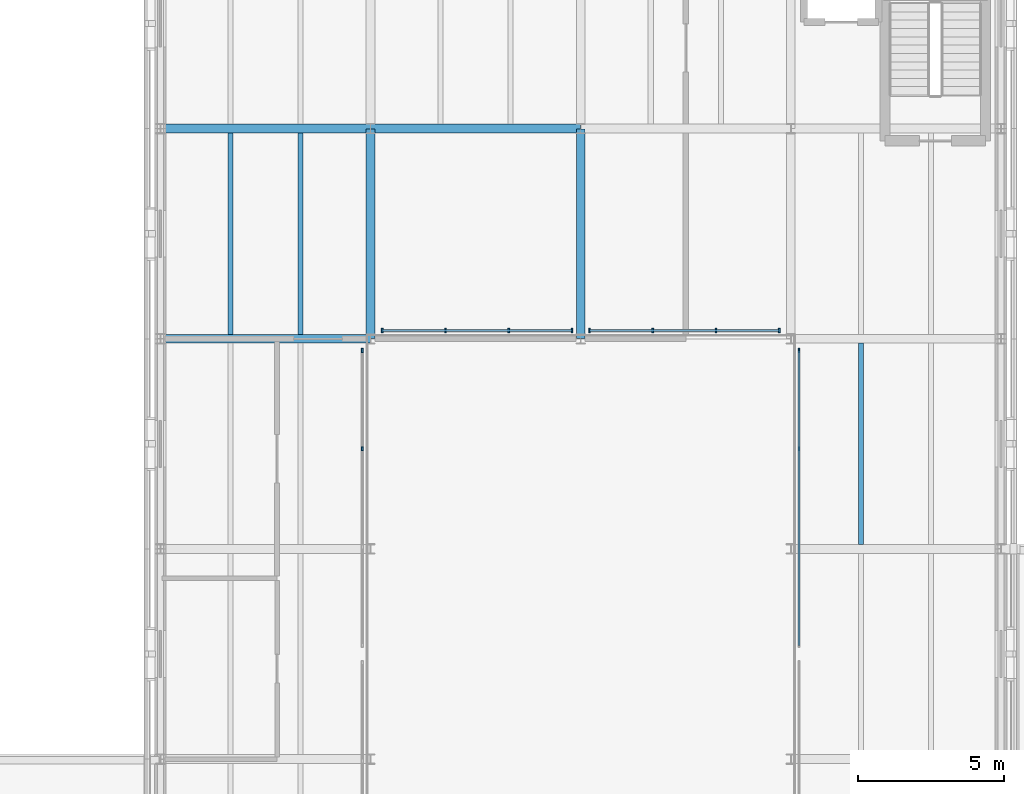
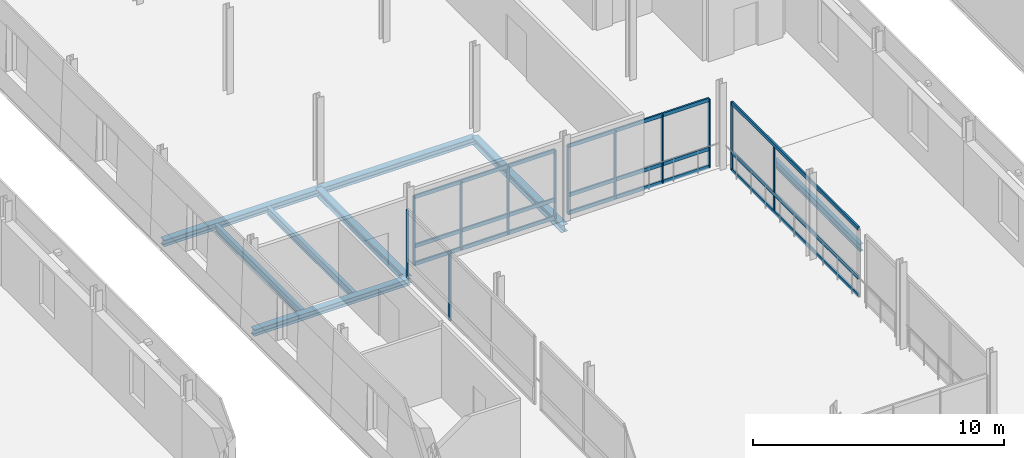
# One storey, part 20 of 91: 21 members, 8 beams, 4 elements without a shape of their own.
"""IFC4 building model written with IfcOpenShell, lengths in metres."""

from ifc_helpers import new_model, si_unit, direction, frame, origin, origin_2d, place, context, subcontext, project, spatial, rectangle, i_section, extrude, material, layer, layer_set, material_profile, profile_set, type_object, element, aggregate, save


model = new_model("IFC4")

# Units and contexts
model_context = context("Model", 3, precision=1e-05, world=origin(), true_north=direction((0.0, 1.0)))
body_context = subcontext(model_context, "Body", "Model", "MODEL_VIEW")
ifc_project = project(units=[si_unit("LENGTHUNIT", "METRE"), si_unit("AREAUNIT", "SQUARE_METRE"), si_unit("VOLUMEUNIT", "CUBIC_METRE"), si_unit("PLANEANGLEUNIT", "RADIAN"), si_unit("MASSUNIT", "GRAM", prefix="KILO")], contexts=[model_context])

# Site, building, storey
site_placement = place(None, origin())
site = spatial("IfcSite", under=ifc_project, at=site_placement, CompositionType="ELEMENT")
building_placement = place(site_placement, origin())
building = spatial("IfcBuilding", under=site, at=building_placement, Name="Narikvali Park Central Library", CompositionType="ELEMENT")
storey_placement = place(building_placement, frame((0.0, 0.0, 14.39990234375)))
storey = spatial("IfcBuildingStorey", under=building, at=storey_placement, Name="L03", CompositionType="ELEMENT", Elevation=14.39990234375)

# Curtain wall, members
ifc_material_1 = material(Name="Anodised Bronze Aluminium", Category="aluminium")
ifc_layer = layer(ifc_material_1, 0.219970703125, Name="Anodised Bronze Aluminium")
ifc_layer_set = layer_set([ifc_layer], Name="Anodised Bronze Aluminium")
curtain_wall_type = type_object("IfcCurtainWallType", Name="Atrium Tall Curtain Wall System", PredefinedType="NOTDEFINED", material=ifc_layer_set)
curtain_wall_1_placement = place(storey_placement, origin())
curtain_wall_1 = element("IfcCurtainWall", 1, at=curtain_wall_1_placement, inside=storey, type_object=curtain_wall_type, Name="Atrium Tall Curtain Wall System CW-INT-V4-L03-E2", PredefinedType="NOTDEFINED")
ifc_material_profile_1 = material_profile(ifc_material_1, rectangle(XDim=0.074951171875, YDim=0.179931640625, at=origin_2d()), Name="CW TRANSOM 75x180")
ifc_profile_set_1 = profile_set([ifc_material_profile_1], Name="Anodised Bronze Aluminium")
member_type_1 = type_object("IfcMemberType", Name="Curtain Wall Heavy Transom 75x180", PredefinedType="USERDEFINED", material=ifc_profile_set_1)
member_1_placement = place(storey_placement, frame((50.679931640625, 75.89990234375, 0.030029296875), z_axis=(0.0, 1.0, 0.0), x_axis=(-1.0, 0.0, 0.0)))
member_1 = element("IfcMember", 2, at=member_1_placement, type_object=member_type_1, Name="CW-INT-V4-L03-E2 Transom 00", ObjectType="TRANSOM", PredefinedType="USERDEFINED", context=body_context, shape_type="SweptSolid", body=[
    extrude(rectangle(XDim=0.074951171875, YDim=0.179931640625, at=origin_2d()), origin(), (0.0, 0.0, 1.0), 10.10009765625),
])
member_2_placement = place(storey_placement, frame((50.679931640625, 75.89990234375, 0.900146484375), z_axis=(0.0, 1.0, 0.0), x_axis=(-1.0, 0.0, 0.0)))
member_2 = element("IfcMember", 3, at=member_2_placement, type_object=member_type_1, Name="CW-INT-V4-L03-E2 Transom 01", ObjectType="TRANSOM", PredefinedType="USERDEFINED", context=body_context, shape_type="SweptSolid", body=[
    extrude(rectangle(XDim=0.074951171875, YDim=0.179931640625, at=origin_2d()), origin(), (0.0, 0.0, 1.0), 10.10009765625),
])
member_3_placement = place(storey_placement, frame((50.679931640625, 75.89990234375, 3.2900390625), z_axis=(0.0, 1.0, 0.0), x_axis=(-1.0, 0.0, 0.0)))
member_3 = element("IfcMember", 4, at=member_3_placement, type_object=member_type_1, Name="CW-INT-V4-L03-E2 Transom 02", ObjectType="TRANSOM", PredefinedType="USERDEFINED", context=body_context, shape_type="SweptSolid", body=[
    extrude(rectangle(XDim=0.074951171875, YDim=0.179931640625, at=origin_2d()), origin(), (0.0, 0.0, 1.0), 10.10009765625),
])

curtain_wall_2_placement = place(storey_placement, origin())
curtain_wall_2 = element("IfcCurtainWall", 5, at=curtain_wall_2_placement, inside=storey, type_object=curtain_wall_type, Name="Atrium Tall Curtain Wall System CW-INT-V4-L03-N1", PredefinedType="NOTDEFINED")
member_4_placement = place(storey_placement, frame((36.39990234375, 86.679931640625, 0.030029296875), z_axis=(1.0, 0.0, 0.0), x_axis=(0.0, 1.0, 0.0)))
member_4 = element("IfcMember", 6, at=member_4_placement, type_object=member_type_1, Name="CW-INT-V4-L03-N1 Transom 00", ObjectType="TRANSOM", PredefinedType="USERDEFINED", context=body_context, shape_type="SweptSolid", body=[
    extrude(rectangle(XDim=0.074951171875, YDim=0.179931640625, at=origin_2d()), origin(), (0.0, 0.0, 1.0), 6.5),
])
member_5_placement = place(storey_placement, frame((36.39990234375, 86.679931640625, 0.900146484375), z_axis=(1.0, 0.0, 0.0), x_axis=(0.0, 1.0, 0.0)))
member_5 = element("IfcMember", 7, at=member_5_placement, type_object=member_type_1, Name="CW-INT-V4-L03-N1 Transom 01", ObjectType="TRANSOM", PredefinedType="USERDEFINED", context=body_context, shape_type="SweptSolid", body=[
    extrude(rectangle(XDim=0.074951171875, YDim=0.179931640625, at=origin_2d()), origin(), (0.0, 0.0, 1.0), 6.5),
])
member_6_placement = place(storey_placement, frame((36.39990234375, 86.679931640625, 3.2900390625), z_axis=(1.0, 0.0, 0.0), x_axis=(0.0, 1.0, 0.0)))
member_6 = element("IfcMember", 8, at=member_6_placement, type_object=member_type_1, Name="CW-INT-V4-L03-N1 Transom 02", ObjectType="TRANSOM", PredefinedType="USERDEFINED", context=body_context, shape_type="SweptSolid", body=[
    extrude(rectangle(XDim=0.074951171875, YDim=0.179931640625, at=origin_2d()), origin(), (0.0, 0.0, 1.0), 6.5),
])

curtain_wall_3_placement = place(storey_placement, origin())
curtain_wall_3 = element("IfcCurtainWall", 9, at=curtain_wall_3_placement, inside=storey, type_object=curtain_wall_type, Name="Atrium Tall Curtain Wall System CW-INT-V4-L03-N2", PredefinedType="NOTDEFINED")
member_7_placement = place(storey_placement, frame((43.5, 86.679931640625, 0.030029296875), z_axis=(1.0, 0.0, 0.0), x_axis=(0.0, 1.0, 0.0)))
member_7 = element("IfcMember", 10, at=member_7_placement, type_object=member_type_1, Name="CW-INT-V4-L03-N2 Transom 00", ObjectType="TRANSOM", PredefinedType="USERDEFINED", context=body_context, shape_type="SweptSolid", body=[
    extrude(rectangle(XDim=0.074951171875, YDim=0.179931640625, at=origin_2d()), origin(), (0.0, 0.0, 1.0), 6.5),
])
member_8_placement = place(storey_placement, frame((43.5, 86.679931640625, 0.900146484375), z_axis=(1.0, 0.0, 0.0), x_axis=(0.0, 1.0, 0.0)))
member_8 = element("IfcMember", 11, at=member_8_placement, type_object=member_type_1, Name="CW-INT-V4-L03-N2 Transom 01", ObjectType="TRANSOM", PredefinedType="USERDEFINED", context=body_context, shape_type="SweptSolid", body=[
    extrude(rectangle(XDim=0.074951171875, YDim=0.179931640625, at=origin_2d()), origin(), (0.0, 0.0, 1.0), 6.5),
])
member_9_placement = place(storey_placement, frame((43.5, 86.679931640625, 3.2900390625), z_axis=(1.0, 0.0, 0.0), x_axis=(0.0, 1.0, 0.0)))
member_9 = element("IfcMember", 12, at=member_9_placement, type_object=member_type_1, Name="CW-INT-V4-L03-N2 Transom 02", ObjectType="TRANSOM", PredefinedType="USERDEFINED", context=body_context, shape_type="SweptSolid", body=[
    extrude(rectangle(XDim=0.074951171875, YDim=0.179931640625, at=origin_2d()), origin(), (0.0, 0.0, 1.0), 6.5),
])

curtain_wall_4_placement = place(storey_placement, origin())
curtain_wall_4 = element("IfcCurtainWall", 13, at=curtain_wall_4_placement, inside=storey, type_object=curtain_wall_type, Name="Atrium Tall Curtain Wall System CW-INT-V4-L03-W2", PredefinedType="NOTDEFINED")
ifc_material_profile_2 = material_profile(ifc_material_1, rectangle(XDim=0.06005859375, YDim=0.14990234375, at=origin_2d()), Name="CW MULLION 60x150")
ifc_profile_set_2 = profile_set([ifc_material_profile_2], Name="Anodised Bronze Aluminium")
member_type_2 = type_object("IfcMemberType", Name="Curtain Wall Mullion 60x150", PredefinedType="MULLION", material=ifc_profile_set_2)
member_10_placement = place(storey_placement, frame((35.719970703125, 82.63330078125, -0.010009765625), z_axis=(0.0, 0.0, 1.0), x_axis=(1.0, 0.0, 0.0)))
member_10 = element("IfcMember", 14, at=member_10_placement, type_object=member_type_2, Name="CW-INT-V4-L03-W2 Mullion 02", PredefinedType="MULLION", context=body_context, shape_type="SweptSolid", body=[
    extrude(rectangle(XDim=0.06005859375, YDim=0.14990234375, at=origin_2d()), origin(), (0.0, 0.0, 1.0), 3.330078125),
])
member_11_placement = place(storey_placement, frame((35.719970703125, 86.0, -0.010009765625), z_axis=(0.0, 0.0, 1.0), x_axis=(1.0, 0.0, 0.0)))
member_11 = element("IfcMember", 15, at=member_11_placement, type_object=member_type_2, Name="CW-INT-V4-L03-W2 Mullion 03", PredefinedType="MULLION", context=body_context, shape_type="SweptSolid", body=[
    extrude(rectangle(XDim=0.06005859375, YDim=0.14990234375, at=origin_2d()), origin(), (0.0, 0.0, 1.0), 3.330078125),
])
aggregate(curtain_wall_4, [member_10, member_11])

# Member
member_12_placement = place(storey_placement, frame((50.679931640625, 82.63330078125, -0.010009765625), z_axis=(0.0, 0.0, 1.0), x_axis=(1.0, 0.0, 0.0)))
member_12 = element("IfcMember", 16, at=member_12_placement, type_object=member_type_2, Name="CW-INT-V4-L03-E2 Mullion 02", PredefinedType="MULLION", context=body_context, shape_type="SweptSolid", body=[
    extrude(rectangle(XDim=0.06005859375, YDim=0.14990234375, at=origin_2d()), origin(), (0.0, 0.0, 1.0), 3.330078125),
])

member_13_placement = place(storey_placement, frame((50.679931640625, 86.0, -0.010009765625), z_axis=(0.0, 0.0, 1.0), x_axis=(1.0, 0.0, 0.0)))
member_13 = element("IfcMember", 17, at=member_13_placement, type_object=member_type_2, Name="CW-INT-V4-L03-E2 Mullion 03", PredefinedType="MULLION", context=body_context, shape_type="SweptSolid", body=[
    extrude(rectangle(XDim=0.06005859375, YDim=0.14990234375, at=origin_2d()), origin(), (0.0, 0.0, 1.0), 3.330078125),
])

aggregate(curtain_wall_1, [member_12, member_13, member_1, member_2, member_3])

member_14_placement = place(storey_placement, frame((36.39990234375, 86.679931640625, -0.010009765625), z_axis=(0.0, 0.0, 1.0), x_axis=(1.0, 0.0, 0.0)))
member_14 = element("IfcMember", 18, at=member_14_placement, type_object=member_type_2, Name="CW-INT-V4-L03-N1 Mullion 00", PredefinedType="MULLION", context=body_context, shape_type="SweptSolid", body=[
    extrude(rectangle(XDim=0.06005859375, YDim=0.14990234375, at=origin_2d()), origin(), (0.0, 0.0, 1.0), 3.330078125),
])

member_15_placement = place(storey_placement, frame((38.566650390625, 86.679931640625, -0.010009765625), z_axis=(0.0, 0.0, 1.0), x_axis=(1.0, 0.0, 0.0)))
member_15 = element("IfcMember", 19, at=member_15_placement, type_object=member_type_2, Name="CW-INT-V4-L03-N1 Mullion 01", PredefinedType="MULLION", context=body_context, shape_type="SweptSolid", body=[
    extrude(rectangle(XDim=0.06005859375, YDim=0.14990234375, at=origin_2d()), origin(), (0.0, 0.0, 1.0), 3.330078125),
])

member_16_placement = place(storey_placement, frame((40.7333984375, 86.679931640625, -0.010009765625), z_axis=(0.0, 0.0, 1.0), x_axis=(1.0, 0.0, 0.0)))
member_16 = element("IfcMember", 20, at=member_16_placement, type_object=member_type_2, Name="CW-INT-V4-L03-N1 Mullion 02", PredefinedType="MULLION", context=body_context, shape_type="SweptSolid", body=[
    extrude(rectangle(XDim=0.06005859375, YDim=0.14990234375, at=origin_2d()), origin(), (0.0, 0.0, 1.0), 3.330078125),
])

member_17_placement = place(storey_placement, frame((42.89990234375, 86.679931640625, -0.010009765625), z_axis=(0.0, 0.0, 1.0), x_axis=(1.0, 0.0, 0.0)))
member_17 = element("IfcMember", 21, at=member_17_placement, type_object=member_type_2, Name="CW-INT-V4-L03-N1 Mullion 03", PredefinedType="MULLION", context=body_context, shape_type="SweptSolid", body=[
    extrude(rectangle(XDim=0.06005859375, YDim=0.14990234375, at=origin_2d()), origin(), (0.0, 0.0, 1.0), 3.330078125),
])

aggregate(curtain_wall_2, [member_14, member_15, member_16, member_17, member_4, member_5, member_6])

member_18_placement = place(storey_placement, frame((43.5, 86.679931640625, -0.010009765625), z_axis=(0.0, 0.0, 1.0), x_axis=(1.0, 0.0, 0.0)))
member_18 = element("IfcMember", 22, at=member_18_placement, type_object=member_type_2, Name="CW-INT-V4-L03-N2 Mullion 00", PredefinedType="MULLION", context=body_context, shape_type="SweptSolid", body=[
    extrude(rectangle(XDim=0.06005859375, YDim=0.14990234375, at=origin_2d()), origin(), (0.0, 0.0, 1.0), 3.330078125),
])

member_19_placement = place(storey_placement, frame((45.666748046875, 86.679931640625, -0.010009765625), z_axis=(0.0, 0.0, 1.0), x_axis=(1.0, 0.0, 0.0)))
member_19 = element("IfcMember", 23, at=member_19_placement, type_object=member_type_2, Name="CW-INT-V4-L03-N2 Mullion 01", PredefinedType="MULLION", context=body_context, shape_type="SweptSolid", body=[
    extrude(rectangle(XDim=0.06005859375, YDim=0.14990234375, at=origin_2d()), origin(), (0.0, 0.0, 1.0), 3.330078125),
])

member_20_placement = place(storey_placement, frame((47.833251953125, 86.679931640625, -0.010009765625), z_axis=(0.0, 0.0, 1.0), x_axis=(1.0, 0.0, 0.0)))
member_20 = element("IfcMember", 24, at=member_20_placement, type_object=member_type_2, Name="CW-INT-V4-L03-N2 Mullion 02", PredefinedType="MULLION", context=body_context, shape_type="SweptSolid", body=[
    extrude(rectangle(XDim=0.06005859375, YDim=0.14990234375, at=origin_2d()), origin(), (0.0, 0.0, 1.0), 3.330078125),
])

member_21_placement = place(storey_placement, frame((50.0, 86.679931640625, -0.010009765625), z_axis=(0.0, 0.0, 1.0), x_axis=(1.0, 0.0, 0.0)))
member_21 = element("IfcMember", 25, at=member_21_placement, type_object=member_type_2, Name="CW-INT-V4-L03-N2 Mullion 03", PredefinedType="MULLION", context=body_context, shape_type="SweptSolid", body=[
    extrude(rectangle(XDim=0.06005859375, YDim=0.14990234375, at=origin_2d()), origin(), (0.0, 0.0, 1.0), 3.330078125),
])

aggregate(curtain_wall_3, [member_18, member_19, member_20, member_21, member_7, member_8, member_9])

# Beams
ifc_material_2 = material(Name="Steel S355", Category="steel")
ifc_material_profile_3 = material_profile(ifc_material_2, i_section(OverallWidth=0.300048828125, OverallDepth=0.31005859375, WebThickness=0.009033203125, FlangeThickness=0.015380859375, FilletRadius=0.027099609375, at=origin_2d()), Name="HEA 320")
ifc_profile_set_3 = profile_set([ifc_material_profile_3], Name="Steel S355")
beam_type_1 = type_object("IfcBeamType", Name="Primary Girder HEA320", PredefinedType="BEAM", material=ifc_profile_set_3)
for number, where, z_axis, x_axis, name in (
    (26, (28.80810546875, 86.39990234375, -0.434814453125), (1.0, 0.0, 0.0), (0.0, 1.0, 0.0), "V4 L03 Girder X"),
    (27, (28.80810546875, 93.60009765625, -0.434814453125), (1.0, 0.0, 0.0), (0.0, 1.0, 0.0), "V4 L03 Girder X"),
    (28, (36.008056640625, 93.60009765625, -0.434814453125), (1.0, 0.0, 0.0), (0.0, 1.0, 0.0), "V4 L03 Girder X"),
):
    element("IfcBeam", number, at=place(storey_placement, frame(where, z_axis=z_axis, x_axis=x_axis)), inside=storey, type_object=beam_type_1, Name=name, PredefinedType="BEAM", context=body_context, shape_type="SweptSolid", body=[
        extrude(i_section(OverallWidth=0.300048828125, OverallDepth=0.31005859375, WebThickness=0.009033203125, FlangeThickness=0.015380859375, FilletRadius=0.027099609375, at=origin_2d()), origin(), (0.0, 0.0, 1.0), 7.183837890625),
    ])
ifc_material_profile_4 = material_profile(ifc_material_2, i_section(OverallWidth=0.300048828125, OverallDepth=0.35009765625, WebThickness=0.010009765625, FlangeThickness=0.017578125, FilletRadius=0.027099609375, at=origin_2d()), Name="HEA 360")
ifc_profile_set_4 = profile_set([ifc_material_profile_4], Name="Steel S355")
beam_type_2 = type_object("IfcBeamType", Name="Primary Girder HEA360", PredefinedType="BEAM", material=ifc_profile_set_4)
for number, where, z_axis, x_axis, name in (
    (29, (36.0, 86.407958984375, -0.454833984375), (0.0, 1.0, 0.0), (-1.0, 0.0, 0.0), "V4 L03 Girder Y"),
    (30, (43.199951171875, 86.407958984375, -0.454833984375), (0.0, 1.0, 0.0), (-1.0, 0.0, 0.0), "V4 L03 Girder Y"),
):
    element("IfcBeam", number, at=place(storey_placement, frame(where, z_axis=z_axis, x_axis=x_axis)), inside=storey, type_object=beam_type_2, Name=name, PredefinedType="BEAM", context=body_context, shape_type="SweptSolid", body=[
        extrude(i_section(OverallWidth=0.300048828125, OverallDepth=0.35009765625, WebThickness=0.010009765625, FlangeThickness=0.017578125, FilletRadius=0.027099609375, at=origin_2d()), origin(), (0.0, 0.0, 1.0), 7.18408203125),
    ])
ifc_material_profile_5 = material_profile(ifc_material_2, i_section(OverallWidth=0.172119140625, OverallDepth=0.364013671875, WebThickness=0.00927734375, FlangeThickness=0.0146484375, FilletRadius=0.01806640625, at=origin_2d()), Name="IPEO 360")
ifc_profile_set_5 = profile_set([ifc_material_profile_5], Name="Steel S355")
beam_type_3 = type_object("IfcBeamType", Name="Upper Study Joist IPEO360", PredefinedType="JOIST", material=ifc_profile_set_5)
for number, where, z_axis, x_axis, name in (
    (31, (31.199951171875, 86.550048828125, -0.4619140625), (0.0, 1.0, 0.0), (-1.0, 0.0, 0.0), "V4 L03 Composite Joist 1"),
    (32, (33.60009765625, 86.550048828125, -0.4619140625), (0.0, 1.0, 0.0), (-1.0, 0.0, 0.0), "V4 L03 Composite Joist 2"),
    (33, (52.800048828125, 79.35009765625, -0.4619140625), (0.0, 1.0, 0.0), (-1.0, 0.0, 0.0), "V4 L03 Composite Joist 1"),
):
    element("IfcBeam", number, at=place(storey_placement, frame(where, z_axis=z_axis, x_axis=x_axis)), inside=storey, type_object=beam_type_3, Name=name, PredefinedType="JOIST", context=body_context, shape_type="SweptSolid", body=[
        extrude(i_section(OverallWidth=0.172119140625, OverallDepth=0.364013671875, WebThickness=0.00927734375, FlangeThickness=0.0146484375, FilletRadius=0.01806640625, at=origin_2d()), origin(), (0.0, 0.0, 1.0), 6.89990234375),
    ])

save(model, "model.ifc")
